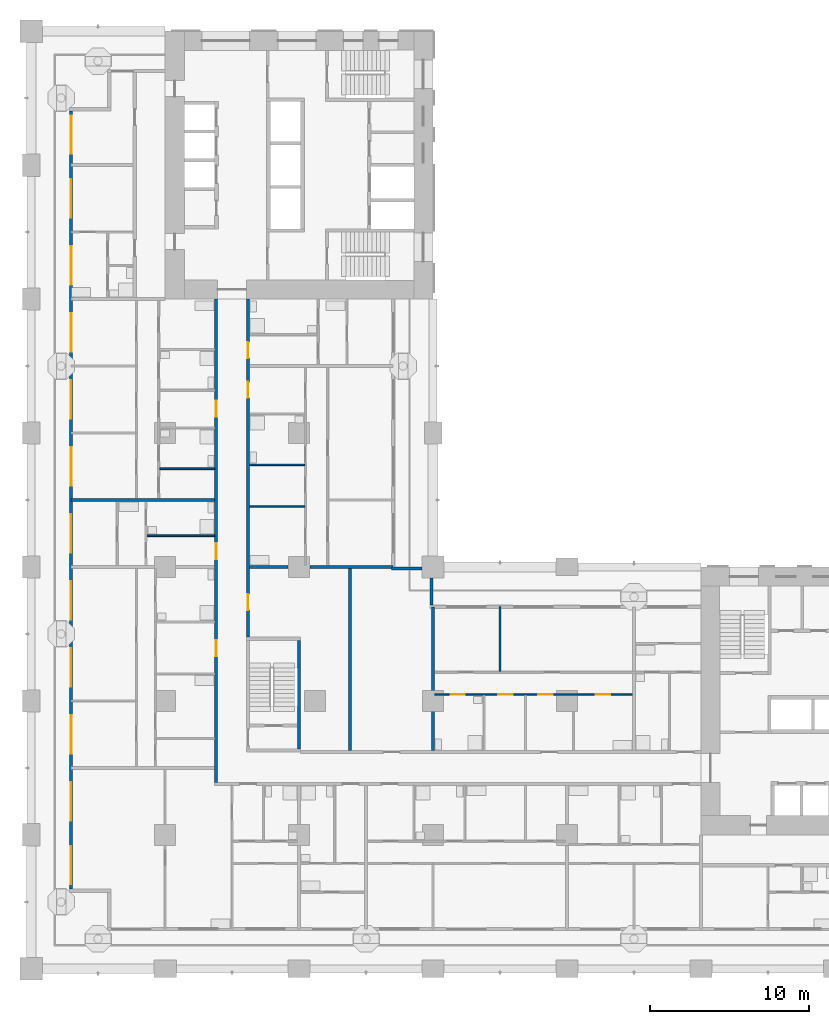
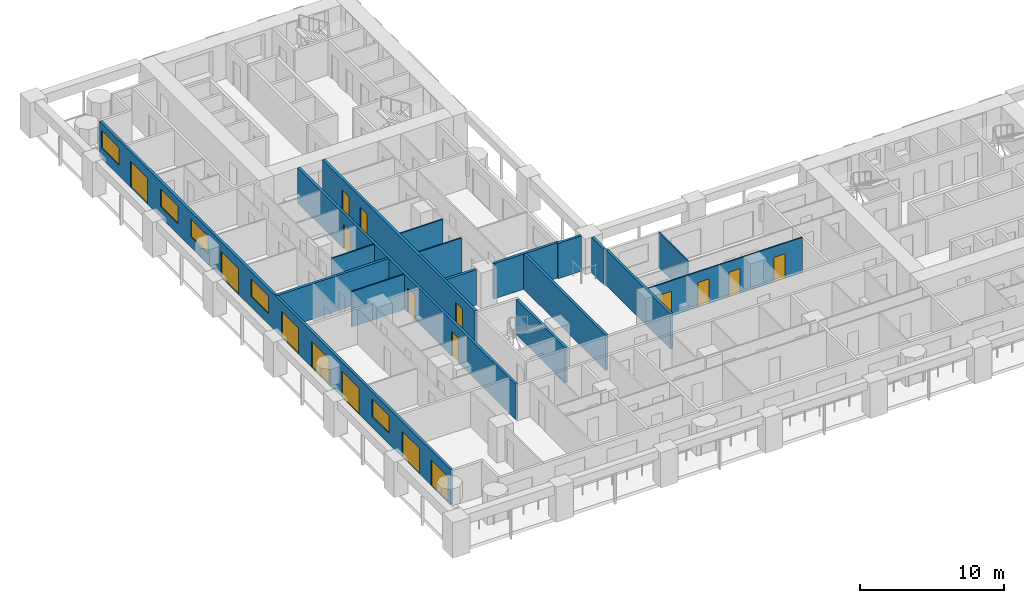
# One storey, part 4 of 21: 17 doors, 17 walls, 5 windows, 22 openings.
"""IFC4 building model written with IfcOpenShell, lengths in metres."""

from ifc_helpers import new_model, si_unit, direction, frame, frame_2d, origin, place, context, subcontext, project, spatial, rectangle, extrude, material, layer, layer_set, type_object, element, fill, save


model = new_model("IFC4")

# Units and contexts
model_context = context("Model", 3, precision=1e-05, world=origin(), true_north=direction((0.0, 1.0)))
body_context = subcontext(model_context, "Body", "Model", "MODEL_VIEW")
ifc_project = project(units=[si_unit("LENGTHUNIT", "METRE"), si_unit("AREAUNIT", "SQUARE_METRE"), si_unit("VOLUMEUNIT", "CUBIC_METRE"), si_unit("PLANEANGLEUNIT", "RADIAN"), si_unit("MASSUNIT", "GRAM", prefix="KILO")], contexts=[model_context])

# Site, building, storey
site_placement = place(None, origin())
site = spatial("IfcSite", under=ifc_project, at=site_placement, CompositionType="ELEMENT")
building_placement = place(site_placement, origin())
building = spatial("IfcBuilding", under=site, at=building_placement, Name="Vermilion Gate Residences", CompositionType="ELEMENT")
storey_placement = place(building_placement, frame((0.0, 0.0, 70.699951171875)))
storey = spatial("IfcBuildingStorey", under=building, at=storey_placement, Name="L17", CompositionType="ELEMENT", Elevation=70.699951171875)

# Wall, openings, doors, windows
ifc_material_1 = material(Name="Insulated steel stud wall with terracotta rainscreen", Category="masonry")
ifc_layer_1 = layer(ifc_material_1, 0.199951171875)
ifc_layer_set_1 = layer_set([ifc_layer_1], Name="EXTERNAL WALL 200 TERRACOTTA RAINSCREEN")
wall_type_1 = type_object("IfcWallType", Name="EXTERNAL WALL 200 TERRACOTTA RAINSCREEN", PredefinedType="SOLIDWALL", material=ifc_layer_set_1)
wall_1_placement = place(storey_placement, frame((2.5, 53.800048828125, 0.0), z_axis=(0.0, 0.0, 1.0), x_axis=(0.0, -1.0, 0.0)))
wall_1 = element("IfcWall", 1, at=wall_1_placement, inside=storey, type_object=wall_type_1, Name="External wall", PredefinedType="SOLIDWALL", context=body_context, shape_type="SweptSolid", body=[
    extrude(rectangle(XDim=48.800048828125, YDim=0.199951171875, at=frame_2d((24.39990234375, 0.0))), origin(), (0.0, 0.0, 1.0), 3.0),
])
opening_1_placement = place(wall_1_placement, frame((46.10009765625, 0.0, 0.0)))
opening_1 = element("IfcOpeningElement", 2, at=opening_1_placement, cuts=wall_1, Name="Opening DE17002", PredefinedType="OPENING", context=body_context, shape_type="SweptSolid", body=[
    extrude(rectangle(XDim=2.39990234375, YDim=2.199951171875, at=frame_2d((1.199951171875, 1.10009765625))), frame((0.0, 0.10986328125, 0.0), z_axis=(0.0, -1.0, 0.0), x_axis=(1.0, 0.0, 0.0)), (0.0, 0.0, 1.0), 0.219970703125),
])
opening_2_placement = place(wall_1_placement, frame((42.10009765625, 0.0, 0.0)))
opening_2 = element("IfcOpeningElement", 3, at=opening_2_placement, cuts=wall_1, Name="Opening DE17003", PredefinedType="OPENING", context=body_context, shape_type="SweptSolid", body=[
    extrude(rectangle(XDim=2.39990234375, YDim=2.199951171875, at=frame_2d((1.199951171875, 1.10009765625))), frame((0.0, 0.10986328125, 0.0), z_axis=(0.0, -1.0, 0.0), x_axis=(1.0, 0.0, 0.0)), (0.0, 0.0, 1.0), 0.219970703125),
])
opening_3_placement = place(wall_1_placement, frame((37.89990234375, 0.0, 0.89990234375)))
opening_3 = element("IfcOpeningElement", 4, at=opening_3_placement, cuts=wall_1, Name="Opening WE17004", PredefinedType="OPENING", context=body_context, shape_type="SweptSolid", body=[
    extrude(rectangle(XDim=2.39990234375, YDim=1.5, at=frame_2d((1.199951171875, 0.75))), frame((0.0, 0.10986328125, 0.0), z_axis=(0.0, -1.0, 0.0), x_axis=(1.0, 0.0, 0.0)), (0.0, 0.0, 1.0), 0.219970703125),
])
opening_4_placement = place(wall_1_placement, frame((33.699951171875, 0.0, 0.0)))
opening_4 = element("IfcOpeningElement", 5, at=opening_4_placement, cuts=wall_1, Name="Opening DE17005", PredefinedType="OPENING", context=body_context, shape_type="SweptSolid", body=[
    extrude(rectangle(XDim=2.39990234375, YDim=2.199951171875, at=frame_2d((1.199951171875, 1.10009765625))), frame((0.0, 0.10986328125, 0.0), z_axis=(0.0, -1.0, 0.0), x_axis=(1.0, 0.0, 0.0)), (0.0, 0.0, 1.0), 0.219970703125),
])
opening_5_placement = place(wall_1_placement, frame((29.5, 0.0, 0.0)))
opening_5 = element("IfcOpeningElement", 6, at=opening_5_placement, cuts=wall_1, Name="Opening DE17006", PredefinedType="OPENING", context=body_context, shape_type="SweptSolid", body=[
    extrude(rectangle(XDim=2.39990234375, YDim=2.199951171875, at=frame_2d((1.199951171875, 1.10009765625))), frame((0.0, 0.10986328125, 0.0), z_axis=(0.0, -1.0, 0.0), x_axis=(1.0, 0.0, 0.0)), (0.0, 0.0, 1.0), 0.219970703125),
])
opening_6_placement = place(wall_1_placement, frame((25.300048828125, 0.0, 0.0)))
opening_6 = element("IfcOpeningElement", 7, at=opening_6_placement, cuts=wall_1, Name="Opening DE17007", PredefinedType="OPENING", context=body_context, shape_type="SweptSolid", body=[
    extrude(rectangle(XDim=2.39990234375, YDim=2.199951171875, at=frame_2d((1.199951171875, 1.10009765625))), frame((0.0, 0.10986328125, 0.0), z_axis=(0.0, -1.0, 0.0), x_axis=(1.0, 0.0, 0.0)), (0.0, 0.0, 1.0), 0.219970703125),
])
opening_7_placement = place(wall_1_placement, frame((21.10009765625, 0.0, 0.89990234375)))
opening_7 = element("IfcOpeningElement", 8, at=opening_7_placement, cuts=wall_1, Name="Opening WE17008", PredefinedType="OPENING", context=body_context, shape_type="SweptSolid", body=[
    extrude(rectangle(XDim=2.39990234375, YDim=1.5, at=frame_2d((1.199951171875, 0.75))), frame((0.0, 0.10986328125, 0.0), z_axis=(0.0, -1.0, 0.0), x_axis=(1.0, 0.0, 0.0)), (0.0, 0.0, 1.0), 0.219970703125),
])
opening_8_placement = place(wall_1_placement, frame((16.89990234375, 0.0, 0.0)))
opening_8 = element("IfcOpeningElement", 9, at=opening_8_placement, cuts=wall_1, Name="Opening DE17009", PredefinedType="OPENING", context=body_context, shape_type="SweptSolid", body=[
    extrude(rectangle(XDim=2.39990234375, YDim=2.199951171875, at=frame_2d((1.199951171875, 1.10009765625))), frame((0.0, 0.10986328125, 0.0), z_axis=(0.0, -1.0, 0.0), x_axis=(1.0, 0.0, 0.0)), (0.0, 0.0, 1.0), 0.219970703125),
])
opening_9_placement = place(wall_1_placement, frame((12.699951171875, 0.0, 0.89990234375)))
opening_9 = element("IfcOpeningElement", 10, at=opening_9_placement, cuts=wall_1, Name="Opening WE17010", PredefinedType="OPENING", context=body_context, shape_type="SweptSolid", body=[
    extrude(rectangle(XDim=2.39990234375, YDim=1.5, at=frame_2d((1.199951171875, 0.75))), frame((0.0, 0.10986328125, 0.0), z_axis=(0.0, -1.0, 0.0), x_axis=(1.0, 0.0, 0.0)), (0.0, 0.0, 1.0), 0.219970703125),
])
opening_10_placement = place(wall_1_placement, frame((8.5, 0.0, 0.89990234375)))
opening_10 = element("IfcOpeningElement", 11, at=opening_10_placement, cuts=wall_1, Name="Opening WE17011", PredefinedType="OPENING", context=body_context, shape_type="SweptSolid", body=[
    extrude(rectangle(XDim=2.39990234375, YDim=1.5, at=frame_2d((1.199951171875, 0.75))), frame((0.0, 0.10986328125, 0.0), z_axis=(0.0, -1.0, 0.0), x_axis=(1.0, 0.0, 0.0)), (0.0, 0.0, 1.0), 0.219970703125),
])
opening_11_placement = place(wall_1_placement, frame((4.300048828125, 0.0, 0.0)))
opening_11 = element("IfcOpeningElement", 12, at=opening_11_placement, cuts=wall_1, Name="Opening DE17012", PredefinedType="OPENING", context=body_context, shape_type="SweptSolid", body=[
    extrude(rectangle(XDim=2.39990234375, YDim=2.199951171875, at=frame_2d((1.199951171875, 1.10009765625))), frame((0.0, 0.10986328125, 0.0), z_axis=(0.0, -1.0, 0.0), x_axis=(1.0, 0.0, 0.0)), (0.0, 0.0, 1.0), 0.219970703125),
])
opening_12_placement = place(wall_1_placement, frame((0.300048828125, 0.0, 0.89990234375)))
opening_12 = element("IfcOpeningElement", 13, at=opening_12_placement, cuts=wall_1, Name="Opening WE17013", PredefinedType="OPENING", context=body_context, shape_type="SweptSolid", body=[
    extrude(rectangle(XDim=2.39990234375, YDim=1.5, at=frame_2d((1.199951171875, 0.75))), frame((0.0, 0.10986328125, 0.0), z_axis=(0.0, -1.0, 0.0), x_axis=(1.0, 0.0, 0.0)), (0.0, 0.0, 1.0), 0.219970703125),
])
ifc_material_2 = material(Name="Aluminium and clear glass", Category="aluminium")
door_type_1 = type_object("IfcDoorType", Name="SLIDING GLAZED DOOR 2400 X 2200", OperationType="DOUBLE_DOOR_SLIDING", PredefinedType="DOOR", material=ifc_material_2)
door_1_placement = place(opening_1_placement, origin())
door_1 = element("IfcDoor", 14, at=door_1_placement, inside=storey, type_object=door_type_1, Name="Loggia sliding door", OperationType="DOUBLE_DOOR_SLIDING", OverallHeight=2.199951171875, OverallWidth=2.39990234375, PredefinedType="DOOR", context=body_context, shape_type="SweptSolid", body=[
    extrude(rectangle(XDim=2.39990234375, YDim=2.199951171875, at=frame_2d((1.199951171875, 1.10009765625))), frame((0.0, 0.02490234375, 0.0), z_axis=(0.0, -1.0, 0.0), x_axis=(1.0, 0.0, 0.0)), (0.0, 0.0, 1.0), 0.050048828125),
])
fill(opening_1, door_1)
door_2_placement = place(opening_2_placement, origin())
door_2 = element("IfcDoor", 15, at=door_2_placement, inside=storey, type_object=door_type_1, Name="Loggia sliding door", OperationType="DOUBLE_DOOR_SLIDING", OverallHeight=2.199951171875, OverallWidth=2.39990234375, PredefinedType="DOOR", context=body_context, shape_type="SweptSolid", body=[
    extrude(rectangle(XDim=2.39990234375, YDim=2.199951171875, at=frame_2d((1.199951171875, 1.10009765625))), frame((0.0, 0.02490234375, 0.0), z_axis=(0.0, -1.0, 0.0), x_axis=(1.0, 0.0, 0.0)), (0.0, 0.0, 1.0), 0.050048828125),
])
fill(opening_2, door_2)
door_3_placement = place(opening_4_placement, origin())
door_3 = element("IfcDoor", 16, at=door_3_placement, inside=storey, type_object=door_type_1, Name="Loggia sliding door", OperationType="DOUBLE_DOOR_SLIDING", OverallHeight=2.199951171875, OverallWidth=2.39990234375, PredefinedType="DOOR", context=body_context, shape_type="SweptSolid", body=[
    extrude(rectangle(XDim=2.39990234375, YDim=2.199951171875, at=frame_2d((1.199951171875, 1.10009765625))), frame((0.0, 0.02490234375, 0.0), z_axis=(0.0, -1.0, 0.0), x_axis=(1.0, 0.0, 0.0)), (0.0, 0.0, 1.0), 0.050048828125),
])
fill(opening_4, door_3)
door_4_placement = place(opening_5_placement, origin())
door_4 = element("IfcDoor", 17, at=door_4_placement, inside=storey, type_object=door_type_1, Name="Loggia sliding door", OperationType="DOUBLE_DOOR_SLIDING", OverallHeight=2.199951171875, OverallWidth=2.39990234375, PredefinedType="DOOR", context=body_context, shape_type="SweptSolid", body=[
    extrude(rectangle(XDim=2.39990234375, YDim=2.199951171875, at=frame_2d((1.199951171875, 1.10009765625))), frame((0.0, 0.02490234375, 0.0), z_axis=(0.0, -1.0, 0.0), x_axis=(1.0, 0.0, 0.0)), (0.0, 0.0, 1.0), 0.050048828125),
])
fill(opening_5, door_4)
door_5_placement = place(opening_6_placement, origin())
door_5 = element("IfcDoor", 18, at=door_5_placement, inside=storey, type_object=door_type_1, Name="Loggia sliding door", OperationType="DOUBLE_DOOR_SLIDING", OverallHeight=2.199951171875, OverallWidth=2.39990234375, PredefinedType="DOOR", context=body_context, shape_type="SweptSolid", body=[
    extrude(rectangle(XDim=2.39990234375, YDim=2.199951171875, at=frame_2d((1.199951171875, 1.10009765625))), frame((0.0, 0.02490234375, 0.0), z_axis=(0.0, -1.0, 0.0), x_axis=(1.0, 0.0, 0.0)), (0.0, 0.0, 1.0), 0.050048828125),
])
fill(opening_6, door_5)
door_6_placement = place(opening_8_placement, origin())
door_6 = element("IfcDoor", 19, at=door_6_placement, inside=storey, type_object=door_type_1, Name="Loggia sliding door", OperationType="DOUBLE_DOOR_SLIDING", OverallHeight=2.199951171875, OverallWidth=2.39990234375, PredefinedType="DOOR", context=body_context, shape_type="SweptSolid", body=[
    extrude(rectangle(XDim=2.39990234375, YDim=2.199951171875, at=frame_2d((1.199951171875, 1.10009765625))), frame((0.0, 0.02490234375, 0.0), z_axis=(0.0, -1.0, 0.0), x_axis=(1.0, 0.0, 0.0)), (0.0, 0.0, 1.0), 0.050048828125),
])
fill(opening_8, door_6)
door_7_placement = place(opening_11_placement, origin())
door_7 = element("IfcDoor", 20, at=door_7_placement, inside=storey, type_object=door_type_1, Name="Loggia sliding door", OperationType="DOUBLE_DOOR_SLIDING", OverallHeight=2.199951171875, OverallWidth=2.39990234375, PredefinedType="DOOR", context=body_context, shape_type="SweptSolid", body=[
    extrude(rectangle(XDim=2.39990234375, YDim=2.199951171875, at=frame_2d((1.199951171875, 1.10009765625))), frame((0.0, 0.02490234375, 0.0), z_axis=(0.0, -1.0, 0.0), x_axis=(1.0, 0.0, 0.0)), (0.0, 0.0, 1.0), 0.050048828125),
])
fill(opening_11, door_7)
ifc_material_3 = material(Name="Aluminium and clear glass", Category="aluminium")
window_type = type_object("IfcWindowType", Name="WINDOW 2400 X 1500", PartitioningType="SINGLE_PANEL", PredefinedType="WINDOW", material=ifc_material_3)
window_1_placement = place(opening_3_placement, origin())
window_1 = element("IfcWindow", 21, at=window_1_placement, inside=storey, type_object=window_type, Name="Window", OverallHeight=1.5, OverallWidth=2.39990234375, PartitioningType="SINGLE_PANEL", PredefinedType="WINDOW", context=body_context, shape_type="SweptSolid", body=[
    extrude(rectangle(XDim=2.39990234375, YDim=1.5, at=frame_2d((1.199951171875, 0.75))), frame((0.0, 0.030029296875, 0.0), z_axis=(0.0, -1.0, 0.0), x_axis=(1.0, 0.0, 0.0)), (0.0, 0.0, 1.0), 0.06005859375),
])
fill(opening_3, window_1)
window_2_placement = place(opening_7_placement, origin())
window_2 = element("IfcWindow", 22, at=window_2_placement, inside=storey, type_object=window_type, Name="Window", OverallHeight=1.5, OverallWidth=2.39990234375, PartitioningType="SINGLE_PANEL", PredefinedType="WINDOW", context=body_context, shape_type="SweptSolid", body=[
    extrude(rectangle(XDim=2.39990234375, YDim=1.5, at=frame_2d((1.199951171875, 0.75))), frame((0.0, 0.030029296875, 0.0), z_axis=(0.0, -1.0, 0.0), x_axis=(1.0, 0.0, 0.0)), (0.0, 0.0, 1.0), 0.06005859375),
])
fill(opening_7, window_2)
window_3_placement = place(opening_9_placement, origin())
window_3 = element("IfcWindow", 23, at=window_3_placement, inside=storey, type_object=window_type, Name="Window", OverallHeight=1.5, OverallWidth=2.39990234375, PartitioningType="SINGLE_PANEL", PredefinedType="WINDOW", context=body_context, shape_type="SweptSolid", body=[
    extrude(rectangle(XDim=2.39990234375, YDim=1.5, at=frame_2d((1.199951171875, 0.75))), frame((0.0, 0.030029296875, 0.0), z_axis=(0.0, -1.0, 0.0), x_axis=(1.0, 0.0, 0.0)), (0.0, 0.0, 1.0), 0.06005859375),
])
fill(opening_9, window_3)
window_4_placement = place(opening_10_placement, origin())
window_4 = element("IfcWindow", 24, at=window_4_placement, inside=storey, type_object=window_type, Name="Window", OverallHeight=1.5, OverallWidth=2.39990234375, PartitioningType="SINGLE_PANEL", PredefinedType="WINDOW", context=body_context, shape_type="SweptSolid", body=[
    extrude(rectangle(XDim=2.39990234375, YDim=1.5, at=frame_2d((1.199951171875, 0.75))), frame((0.0, 0.030029296875, 0.0), z_axis=(0.0, -1.0, 0.0), x_axis=(1.0, 0.0, 0.0)), (0.0, 0.0, 1.0), 0.06005859375),
])
fill(opening_10, window_4)
window_5_placement = place(opening_12_placement, origin())
window_5 = element("IfcWindow", 25, at=window_5_placement, inside=storey, type_object=window_type, Name="Window", OverallHeight=1.5, OverallWidth=2.39990234375, PartitioningType="SINGLE_PANEL", PredefinedType="WINDOW", context=body_context, shape_type="SweptSolid", body=[
    extrude(rectangle(XDim=2.39990234375, YDim=1.5, at=frame_2d((1.199951171875, 0.75))), frame((0.0, 0.030029296875, 0.0), z_axis=(0.0, -1.0, 0.0), x_axis=(1.0, 0.0, 0.0)), (0.0, 0.0, 1.0), 0.06005859375),
])
fill(opening_12, window_5)

# Walls
wall_2_placement = place(storey_placement, frame((25.10009765625, 22.800048828125, 0.0), z_axis=(0.0, 0.0, 1.0), x_axis=(0.0, 1.0, 0.0)))
element("IfcWall", 26, at=wall_2_placement, inside=storey, type_object=wall_type_1, Name="External wall", PredefinedType="SOLIDWALL", context=body_context, shape_type="SweptSolid", body=[
    extrude(rectangle(XDim=1.699951171875, YDim=0.199951171875, at=frame_2d((0.85009765625, 0.0))), origin(), (0.0, 0.0, 1.0), 3.0),
])
wall_3_placement = place(storey_placement, frame((24.5, 25.10009765625, 0.0), z_axis=(0.0, 0.0, 1.0), x_axis=(-1.0, 0.0, 0.0)))
element("IfcWall", 27, at=wall_3_placement, inside=storey, type_object=wall_type_1, Name="External wall", PredefinedType="SOLIDWALL", context=body_context, shape_type="SweptSolid", body=[
    extrude(rectangle(XDim=1.89990234375, YDim=0.199951171875, at=frame_2d((0.949951171875, 0.0))), origin(), (0.0, 0.0, 1.0), 3.0),
])

# Wall, openings, doors
ifc_material_4 = material(Name="Plasterboard on steel studs", Category="steel")
ifc_layer_2 = layer(ifc_material_4, 0.10009765625)
ifc_layer_set_2 = layer_set([ifc_layer_2], Name="PARTITION 100")
wall_type_2 = type_object("IfcWallType", Name="PARTITION 100", PredefinedType="PARTITIONING", material=ifc_layer_set_2)
wall_4_placement = place(storey_placement, frame((25.300048828125, 17.199951171875, 0.0), z_axis=(0.0, 0.0, 1.0), x_axis=(1.0, 0.0, 0.0)))
wall_4 = element("IfcWall", 28, at=wall_4_placement, inside=storey, type_object=wall_type_2, Name="Partition", PredefinedType="PARTITIONING", context=body_context, shape_type="SweptSolid", body=[
    extrude(rectangle(XDim=12.39990234375, YDim=0.10009765625, at=frame_2d((6.199951171875, 0.0))), origin(), (0.0, 0.0, 1.0), 3.0),
])
opening_13_placement = place(wall_4_placement, frame((6.5, 0.0, 0.0)))
opening_13 = element("IfcOpeningElement", 29, at=opening_13_placement, cuts=wall_4, Name="Opening DA16033", PredefinedType="OPENING", context=body_context, shape_type="SweptSolid", body=[
    extrude(rectangle(XDim=0.89990234375, YDim=2.10009765625, at=frame_2d((0.449951171875, 1.050048828125))), frame((0.0, 0.06005859375, 0.0), z_axis=(0.0, -1.0, 0.0), x_axis=(1.0, 0.0, 0.0)), (0.0, 0.0, 1.0), 0.1201171875),
])
opening_14_placement = place(wall_4_placement, frame((1.0, 0.0, 0.0)))
opening_14 = element("IfcOpeningElement", 30, at=opening_14_placement, cuts=wall_4, Name="Opening DA16034", PredefinedType="OPENING", context=body_context, shape_type="SweptSolid", body=[
    extrude(rectangle(XDim=0.89990234375, YDim=2.10009765625, at=frame_2d((0.449951171875, 1.050048828125))), frame((0.0, 0.06005859375, 0.0), z_axis=(0.0, -1.0, 0.0), x_axis=(1.0, 0.0, 0.0)), (0.0, 0.0, 1.0), 0.1201171875),
])
opening_15_placement = place(wall_4_placement, frame((4.0, 0.0, 0.0)))
opening_15 = element("IfcOpeningElement", 31, at=opening_15_placement, cuts=wall_4, Name="Opening DA16035", PredefinedType="OPENING", context=body_context, shape_type="SweptSolid", body=[
    extrude(rectangle(XDim=0.89990234375, YDim=2.10009765625, at=frame_2d((0.449951171875, 1.050048828125))), frame((0.0, 0.06005859375, 0.0), z_axis=(0.0, -1.0, 0.0), x_axis=(1.0, 0.0, 0.0)), (0.0, 0.0, 1.0), 0.1201171875),
])
opening_16_placement = place(wall_4_placement, frame((10.10009765625, 0.0, 0.0)))
opening_16 = element("IfcOpeningElement", 32, at=opening_16_placement, cuts=wall_4, Name="Opening DA16036", PredefinedType="OPENING", context=body_context, shape_type="SweptSolid", body=[
    extrude(rectangle(XDim=0.89990234375, YDim=2.10009765625, at=frame_2d((0.449951171875, 1.050048828125))), frame((0.0, 0.06005859375, 0.0), z_axis=(0.0, -1.0, 0.0), x_axis=(1.0, 0.0, 0.0)), (0.0, 0.0, 1.0), 0.1201171875),
])
ifc_material_5 = material(Name="Timber", Category="wood")
door_type_2 = type_object("IfcDoorType", Name="INTERIOR DOOR 900 X 2100", OperationType="SINGLE_SWING_LEFT", PredefinedType="DOOR", material=ifc_material_5)
door_8_placement = place(opening_13_placement, frame((0.89990234375, 0.0, 0.0), z_axis=(0.0, 0.0, 1.0), x_axis=(-1.0, 0.0, 0.0)))
door_8 = element("IfcDoor", 33, at=door_8_placement, inside=storey, type_object=door_type_2, Name="Interior door", OperationType="SINGLE_SWING_LEFT", OverallHeight=2.10009765625, OverallWidth=0.89990234375, PredefinedType="DOOR", context=body_context, shape_type="SweptSolid", body=[
    extrude(rectangle(XDim=0.89990234375, YDim=2.10009765625, at=frame_2d((0.449951171875, 1.050048828125))), frame((0.0, 0.02490234375, 0.0), z_axis=(0.0, -1.0, 0.0), x_axis=(1.0, 0.0, 0.0)), (0.0, 0.0, 1.0), 0.050048828125),
])
fill(opening_13, door_8)
door_9_placement = place(opening_14_placement, frame((0.89990234375, 0.0, 0.0), z_axis=(0.0, 0.0, 1.0), x_axis=(-1.0, 0.0, 0.0)))
door_9 = element("IfcDoor", 34, at=door_9_placement, inside=storey, type_object=door_type_2, Name="Interior door", OperationType="SINGLE_SWING_RIGHT", OverallHeight=2.10009765625, OverallWidth=0.89990234375, PredefinedType="DOOR", context=body_context, shape_type="SweptSolid", body=[
    extrude(rectangle(XDim=0.89990234375, YDim=2.10009765625, at=frame_2d((0.449951171875, 1.050048828125))), frame((0.0, 0.02490234375, 0.0), z_axis=(0.0, -1.0, 0.0), x_axis=(1.0, 0.0, 0.0)), (0.0, 0.0, 1.0), 0.050048828125),
])
fill(opening_14, door_9)
door_10_placement = place(opening_15_placement, frame((0.89990234375, 0.0, 0.0), z_axis=(0.0, 0.0, 1.0), x_axis=(-1.0, 0.0, 0.0)))
door_10 = element("IfcDoor", 35, at=door_10_placement, inside=storey, type_object=door_type_2, Name="Interior door", OperationType="SINGLE_SWING_LEFT", OverallHeight=2.10009765625, OverallWidth=0.89990234375, PredefinedType="DOOR", context=body_context, shape_type="SweptSolid", body=[
    extrude(rectangle(XDim=0.89990234375, YDim=2.10009765625, at=frame_2d((0.449951171875, 1.050048828125))), frame((0.0, 0.02490234375, 0.0), z_axis=(0.0, -1.0, 0.0), x_axis=(1.0, 0.0, 0.0)), (0.0, 0.0, 1.0), 0.050048828125),
])
fill(opening_15, door_10)
door_11_placement = place(opening_16_placement, frame((0.89990234375, 0.0, 0.0), z_axis=(0.0, 0.0, 1.0), x_axis=(-1.0, 0.0, 0.0)))
door_11 = element("IfcDoor", 36, at=door_11_placement, inside=storey, type_object=door_type_2, Name="Interior door", OperationType="SINGLE_SWING_RIGHT", OverallHeight=2.10009765625, OverallWidth=0.89990234375, PredefinedType="DOOR", context=body_context, shape_type="SweptSolid", body=[
    extrude(rectangle(XDim=0.89990234375, YDim=2.10009765625, at=frame_2d((0.449951171875, 1.050048828125))), frame((0.0, 0.02490234375, 0.0), z_axis=(0.0, -1.0, 0.0), x_axis=(1.0, 0.0, 0.0)), (0.0, 0.0, 1.0), 0.050048828125),
])
fill(opening_16, door_11)

# Walls
wall_5_placement = place(storey_placement, frame((7.25, 27.159912109375, 0.0), z_axis=(0.0, 0.0, 1.0), x_axis=(1.0, 0.0, 0.0)))
element("IfcWall", 37, at=wall_5_placement, inside=storey, type_object=wall_type_2, Name="Partition", PredefinedType="PARTITIONING", context=body_context, shape_type="SweptSolid", body=[
    extrude(rectangle(XDim=4.25, YDim=0.10009765625, at=frame_2d((2.125, 0.0))), origin(), (0.0, 0.0, 1.0), 3.0),
])
for number, where, z_axis, x_axis, name in (
    (38, (13.699951171875, 29.0, 0.0), (0.0, 0.0, 1.0), (1.0, 0.0, 0.0), "Partition"),
    (39, (8.050048828125, 31.360107421875, 0.0), (0.0, 0.0, 1.0), (1.0, 0.0, 0.0), "Partition"),
    (40, (13.699951171875, 31.60009765625, 0.0), (0.0, 0.0, 1.0), (1.0, 0.0, 0.0), "Partition"),
):
    element("IfcWall", number, at=place(storey_placement, frame(where, z_axis=z_axis, x_axis=x_axis)), inside=storey, type_object=wall_type_2, Name=name, PredefinedType="PARTITIONING", context=body_context, shape_type="SweptSolid", body=[
        extrude(rectangle(XDim=3.449951171875, YDim=0.10009765625, at=frame_2d((1.72509765625, 0.0))), origin(), (0.0, 0.0, 1.0), 3.0),
    ])
wall_6_placement = place(storey_placement, frame((29.39990234375, 18.64990234375, 0.0), z_axis=(0.0, 0.0, 1.0), x_axis=(0.0, 1.0, 0.0)))
element("IfcWall", 41, at=wall_6_placement, inside=storey, type_object=wall_type_2, Name="Partition", PredefinedType="PARTITIONING", context=body_context, shape_type="SweptSolid", body=[
    extrude(rectangle(XDim=4.050048828125, YDim=0.10009765625, at=frame_2d((2.02490234375, 0.0))), origin(), (0.0, 0.0, 1.0), 3.0),
])
ifc_material_6 = material(Name="Fire-rated plasterboard on steel studs", Category="steel")
ifc_layer_3 = layer(ifc_material_6, 0.199951171875)
ifc_layer_set_3 = layer_set([ifc_layer_3], Name="PARTY WALL 200 EI 120")
wall_type_3 = type_object("IfcWallType", Name="PARTY WALL 200 EI 120", PredefinedType="PARTITIONING", material=ifc_layer_set_3)
wall_7_placement = place(storey_placement, frame((13.699951171875, 25.199951171875, 0.0), z_axis=(0.0, 0.0, 1.0), x_axis=(1.0, 0.0, 0.0)))
element("IfcWall", 42, at=wall_7_placement, inside=storey, type_object=wall_type_3, Name="Party and corridor wall", PredefinedType="PARTITIONING", context=body_context, shape_type="SweptSolid", body=[
    extrude(rectangle(XDim=2.400146484375, YDim=0.199951171875, at=frame_2d((1.2001953125, 0.0))), origin(), (0.0, 0.0, 1.0), 3.0),
])
wall_8_placement = place(storey_placement, frame((17.5, 25.199951171875, 0.0), z_axis=(0.0, 0.0, 1.0), x_axis=(1.0, 0.0, 0.0)))
element("IfcWall", 43, at=wall_8_placement, inside=storey, type_object=wall_type_3, Name="Party and corridor wall", PredefinedType="PARTITIONING", context=body_context, shape_type="SweptSolid", body=[
    extrude(rectangle(XDim=5.199951171875, YDim=0.199951171875, at=frame_2d((2.60009765625, 0.0))), origin(), (0.0, 0.0, 1.0), 3.0),
])
wall_9_placement = place(storey_placement, frame((2.5, 29.39990234375, 0.0), z_axis=(0.0, 0.0, 1.0), x_axis=(1.0, 0.0, 0.0)))
element("IfcWall", 44, at=wall_9_placement, inside=storey, type_object=wall_type_3, Name="Party and corridor wall", PredefinedType="PARTITIONING", context=body_context, shape_type="SweptSolid", body=[
    extrude(rectangle(XDim=9.0, YDim=0.199951171875, at=frame_2d((4.5, 0.0))), origin(), (0.0, 0.0, 1.0), 3.0),
])

# Wall, openings, doors
wall_10_placement = place(storey_placement, frame((11.60009765625, 11.699951171875, 0.0), z_axis=(0.0, 0.0, 1.0), x_axis=(0.0, 1.0, 0.0)))
wall_10 = element("IfcWall", 45, at=wall_10_placement, inside=storey, type_object=wall_type_3, Name="Party and corridor wall", PredefinedType="PARTITIONING", context=body_context, shape_type="SweptSolid", body=[
    extrude(rectangle(XDim=30.300048828125, YDim=0.199951171875, at=frame_2d((15.14990234375, 0.0))), origin(), (0.0, 0.0, 1.0), 3.0),
])
opening_17_placement = place(wall_10_placement, frame((7.89990234375, 0.0, 0.0)))
opening_17 = element("IfcOpeningElement", 46, at=opening_17_placement, cuts=wall_10, Name="Opening DA16065", PredefinedType="OPENING", context=body_context, shape_type="SweptSolid", body=[
    extrude(rectangle(XDim=1.0, YDim=2.10009765625, at=frame_2d((0.5, 1.050048828125))), frame((0.0, 0.10986328125, 0.0), z_axis=(0.0, -1.0, 0.0), x_axis=(1.0, 0.0, 0.0)), (0.0, 0.0, 1.0), 0.219970703125),
])
opening_18_placement = place(wall_10_placement, frame((14.0, 0.0, 0.0)))
opening_18 = element("IfcOpeningElement", 47, at=opening_18_placement, cuts=wall_10, Name="Opening DA16066", PredefinedType="OPENING", context=body_context, shape_type="SweptSolid", body=[
    extrude(rectangle(XDim=1.0, YDim=2.10009765625, at=frame_2d((0.5, 1.050048828125))), frame((0.0, 0.10986328125, 0.0), z_axis=(0.0, -1.0, 0.0), x_axis=(1.0, 0.0, 0.0)), (0.0, 0.0, 1.0), 0.219970703125),
])
opening_19_placement = place(wall_10_placement, frame((22.919921875, 0.0, 0.0)))
opening_19 = element("IfcOpeningElement", 48, at=opening_19_placement, cuts=wall_10, Name="Opening DA16067", PredefinedType="OPENING", context=body_context, shape_type="SweptSolid", body=[
    extrude(rectangle(XDim=1.0, YDim=2.10009765625, at=frame_2d((0.5, 1.050048828125))), frame((0.0, 0.10986328125, 0.0), z_axis=(0.0, -1.0, 0.0), x_axis=(1.0, 0.0, 0.0)), (0.0, 0.0, 1.0), 0.219970703125),
])
ifc_material_7 = material(Name="Steel", Category="steel")
door_type_3 = type_object("IfcDoorType", Name="ENTRANCE DOOR 1000 X 2100 FD30", OperationType="SINGLE_SWING_LEFT", PredefinedType="DOOR", material=ifc_material_7)
door_12_placement = place(opening_17_placement, origin())
door_12 = element("IfcDoor", 49, at=door_12_placement, inside=storey, type_object=door_type_3, Name="Entrance door", OperationType="SINGLE_SWING_LEFT", OverallHeight=2.10009765625, OverallWidth=1.0, PredefinedType="DOOR", context=body_context, shape_type="SweptSolid", body=[
    extrude(rectangle(XDim=1.0, YDim=2.10009765625, at=frame_2d((0.5, 1.050048828125))), frame((0.0, 0.02490234375, 0.0), z_axis=(0.0, -1.0, 0.0), x_axis=(1.0, 0.0, 0.0)), (0.0, 0.0, 1.0), 0.050048828125),
])
fill(opening_17, door_12)
door_13_placement = place(opening_18_placement, origin())
door_13 = element("IfcDoor", 50, at=door_13_placement, inside=storey, type_object=door_type_3, Name="Entrance door", OperationType="SINGLE_SWING_LEFT", OverallHeight=2.10009765625, OverallWidth=1.0, PredefinedType="DOOR", context=body_context, shape_type="SweptSolid", body=[
    extrude(rectangle(XDim=1.0, YDim=2.10009765625, at=frame_2d((0.5, 1.050048828125))), frame((0.0, 0.02490234375, 0.0), z_axis=(0.0, -1.0, 0.0), x_axis=(1.0, 0.0, 0.0)), (0.0, 0.0, 1.0), 0.050048828125),
])
fill(opening_18, door_13)
door_14_placement = place(opening_19_placement, origin())
door_14 = element("IfcDoor", 51, at=door_14_placement, inside=storey, type_object=door_type_3, Name="Entrance door", OperationType="SINGLE_SWING_RIGHT", OverallHeight=2.10009765625, OverallWidth=1.0, PredefinedType="DOOR", context=body_context, shape_type="SweptSolid", body=[
    extrude(rectangle(XDim=1.0, YDim=2.10009765625, at=frame_2d((0.5, 1.050048828125))), frame((0.0, 0.02490234375, 0.0), z_axis=(0.0, -1.0, 0.0), x_axis=(1.0, 0.0, 0.0)), (0.0, 0.0, 1.0), 0.050048828125),
])
fill(opening_19, door_14)

wall_11_placement = place(storey_placement, frame((13.60009765625, 20.800048828125, 0.0), z_axis=(0.0, 0.0, 1.0), x_axis=(0.0, 1.0, 0.0)))
wall_11 = element("IfcWall", 52, at=wall_11_placement, inside=storey, type_object=wall_type_3, Name="Party and corridor wall", PredefinedType="PARTITIONING", context=body_context, shape_type="SweptSolid", body=[
    extrude(rectangle(XDim=21.199951171875, YDim=0.199951171875, at=frame_2d((10.60009765625, 0.0))), origin(), (0.0, 0.0, 1.0), 3.0),
])
opening_20_placement = place(wall_11_placement, frame((15.0, 0.0, 0.0)))
opening_20 = element("IfcOpeningElement", 53, at=opening_20_placement, cuts=wall_11, Name="Opening DA16069", PredefinedType="OPENING", context=body_context, shape_type="SweptSolid", body=[
    extrude(rectangle(XDim=1.0, YDim=2.10009765625, at=frame_2d((0.5, 1.050048828125))), frame((0.0, 0.10986328125, 0.0), z_axis=(0.0, -1.0, 0.0), x_axis=(1.0, 0.0, 0.0)), (0.0, 0.0, 1.0), 0.219970703125),
])
opening_21_placement = place(wall_11_placement, frame((17.5, 0.0, 0.0)))
opening_21 = element("IfcOpeningElement", 54, at=opening_21_placement, cuts=wall_11, Name="Opening DA16070", PredefinedType="OPENING", context=body_context, shape_type="SweptSolid", body=[
    extrude(rectangle(XDim=1.0, YDim=2.10009765625, at=frame_2d((0.5, 1.050048828125))), frame((0.0, 0.10986328125, 0.0), z_axis=(0.0, -1.0, 0.0), x_axis=(1.0, 0.0, 0.0)), (0.0, 0.0, 1.0), 0.219970703125),
])
opening_22_placement = place(wall_11_placement, frame((1.699951171875, 0.0, 0.0)))
opening_22 = element("IfcOpeningElement", 55, at=opening_22_placement, cuts=wall_11, Name="Opening DA16071", PredefinedType="OPENING", context=body_context, shape_type="SweptSolid", body=[
    extrude(rectangle(XDim=1.0, YDim=2.10009765625, at=frame_2d((0.5, 1.050048828125))), frame((0.0, 0.10986328125, 0.0), z_axis=(0.0, -1.0, 0.0), x_axis=(1.0, 0.0, 0.0)), (0.0, 0.0, 1.0), 0.219970703125),
])
door_15_placement = place(opening_20_placement, frame((1.0, 0.0, 0.0), z_axis=(0.0, 0.0, 1.0), x_axis=(-1.0, 0.0, 0.0)))
door_15 = element("IfcDoor", 56, at=door_15_placement, inside=storey, type_object=door_type_3, Name="Entrance door", OperationType="SINGLE_SWING_LEFT", OverallHeight=2.10009765625, OverallWidth=1.0, PredefinedType="DOOR", context=body_context, shape_type="SweptSolid", body=[
    extrude(rectangle(XDim=1.0, YDim=2.10009765625, at=frame_2d((0.5, 1.050048828125))), frame((0.0, 0.02490234375, 0.0), z_axis=(0.0, -1.0, 0.0), x_axis=(1.0, 0.0, 0.0)), (0.0, 0.0, 1.0), 0.050048828125),
])
fill(opening_20, door_15)
door_16_placement = place(opening_21_placement, frame((1.0, 0.0, 0.0), z_axis=(0.0, 0.0, 1.0), x_axis=(-1.0, 0.0, 0.0)))
door_16 = element("IfcDoor", 57, at=door_16_placement, inside=storey, type_object=door_type_3, Name="Entrance door", OperationType="SINGLE_SWING_RIGHT", OverallHeight=2.10009765625, OverallWidth=1.0, PredefinedType="DOOR", context=body_context, shape_type="SweptSolid", body=[
    extrude(rectangle(XDim=1.0, YDim=2.10009765625, at=frame_2d((0.5, 1.050048828125))), frame((0.0, 0.02490234375, 0.0), z_axis=(0.0, -1.0, 0.0), x_axis=(1.0, 0.0, 0.0)), (0.0, 0.0, 1.0), 0.050048828125),
])
fill(opening_21, door_16)
door_17_placement = place(opening_22_placement, frame((1.0, 0.0, 0.0), z_axis=(0.0, 0.0, 1.0), x_axis=(-1.0, 0.0, 0.0)))
door_17 = element("IfcDoor", 58, at=door_17_placement, inside=storey, type_object=door_type_3, Name="Entrance door", OperationType="SINGLE_SWING_LEFT", OverallHeight=2.10009765625, OverallWidth=1.0, PredefinedType="DOOR", context=body_context, shape_type="SweptSolid", body=[
    extrude(rectangle(XDim=1.0, YDim=2.10009765625, at=frame_2d((0.5, 1.050048828125))), frame((0.0, 0.02490234375, 0.0), z_axis=(0.0, -1.0, 0.0), x_axis=(1.0, 0.0, 0.0)), (0.0, 0.0, 1.0), 0.050048828125),
])
fill(opening_22, door_17)

# Walls
wall_12_placement = place(storey_placement, frame((20.0, 13.699951171875, 0.0), z_axis=(0.0, 0.0, 1.0), x_axis=(0.0, 1.0, 0.0)))
element("IfcWall", 59, at=wall_12_placement, inside=storey, type_object=wall_type_3, Name="Party and corridor wall", PredefinedType="PARTITIONING", context=body_context, shape_type="SweptSolid", body=[
    extrude(rectangle(XDim=11.400146484375, YDim=0.199951171875, at=frame_2d((5.7001953125, 0.0))), origin(), (0.0, 0.0, 1.0), 3.0),
])
wall_13_placement = place(storey_placement, frame((25.199951171875, 13.699951171875, 0.0), z_axis=(0.0, 0.0, 1.0), x_axis=(0.0, 1.0, 0.0)))
element("IfcWall", 60, at=wall_13_placement, inside=storey, type_object=wall_type_3, Name="Party and corridor wall", PredefinedType="PARTITIONING", context=body_context, shape_type="SweptSolid", body=[
    extrude(rectangle(XDim=9.0, YDim=0.199951171875, at=frame_2d((4.5, 0.0))), origin(), (0.0, 0.0, 1.0), 3.0),
])
ifc_material_8 = material(Name="Concrete C60", Category="concrete")
ifc_layer_4 = layer(ifc_material_8, 0.199951171875)
ifc_layer_set_4 = layer_set([ifc_layer_4], Name="RC CORE INTERNAL WALL 200 C60")
wall_type_4 = type_object("IfcWallType", Name="RC CORE INTERNAL WALL 200 C60", PredefinedType="SHEAR", material=ifc_layer_set_4)
wall_14_placement = place(storey_placement, frame((16.800048828125, 13.800048828125, 0.0), z_axis=(0.0, 0.0, 1.0), x_axis=(0.0, 1.0, 0.0)))
element("IfcWall", 61, at=wall_14_placement, inside=storey, type_object=wall_type_4, Name="Core internal wall C17-E", PredefinedType="SHEAR", context=body_context, shape_type="SweptSolid", body=[
    extrude(rectangle(XDim=6.800048828125, YDim=0.199951171875, at=frame_2d((3.39990234375, 0.0))), origin(), (0.0, 0.0, 1.0), 3.0),
])

save(model, "model.ifc")
